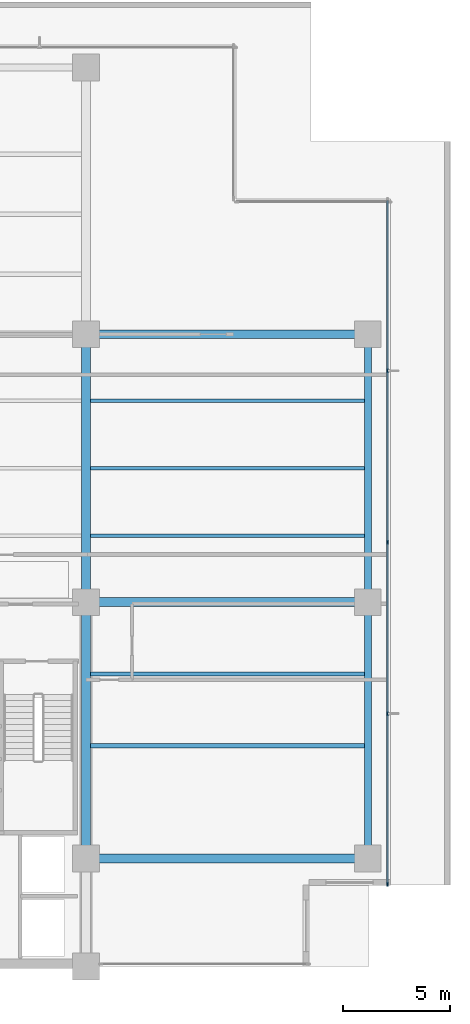
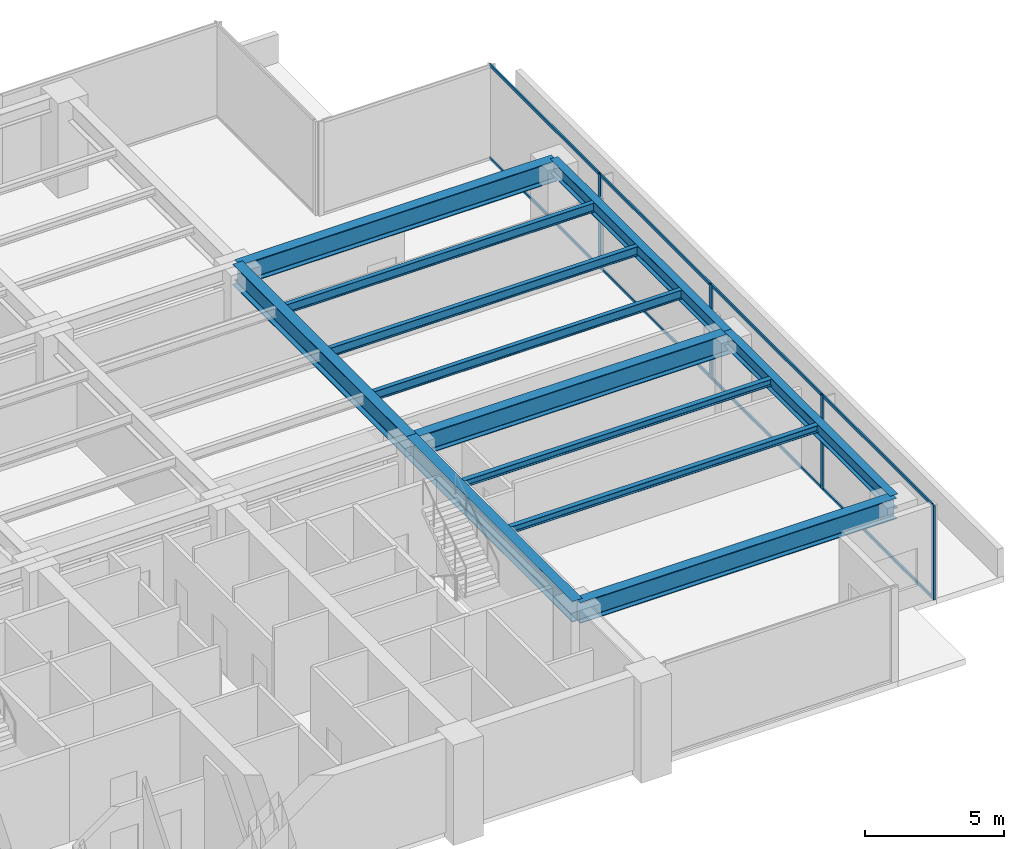
# One storey, part 4 of 16: 12 beams, 12 members, 1 element without a shape of its own.
"""IFC4 building model written with IfcOpenShell, lengths in metres."""

from ifc_helpers import new_model, si_unit, direction, frame, origin, origin_2d, place, context, subcontext, project, spatial, rectangle, i_section, extrude, material, layer, layer_set, material_profile, profile_set, type_object, element, aggregate, save


model = new_model("IFC4")

# Units and contexts
model_context = context("Model", 3, precision=1e-05, world=origin(), true_north=direction((0.0, 1.0)))
body_context = subcontext(model_context, "Body", "Model", "MODEL_VIEW")
ifc_project = project(units=[si_unit("LENGTHUNIT", "METRE"), si_unit("AREAUNIT", "SQUARE_METRE"), si_unit("VOLUMEUNIT", "CUBIC_METRE"), si_unit("PLANEANGLEUNIT", "RADIAN"), si_unit("MASSUNIT", "GRAM", prefix="KILO")], contexts=[model_context])

# Site, building, storey
site_placement = place(None, origin())
site = spatial("IfcSite", under=ifc_project, at=site_placement, CompositionType="ELEMENT")
building_placement = place(site_placement, origin())
building = spatial("IfcBuilding", under=site, at=building_placement, Name="Qalmaran Belvedere Hotel", CompositionType="ELEMENT")
storey_placement = place(building_placement, frame((0.0, 0.0, 83.800048828125)))
storey = spatial("IfcBuildingStorey", under=building, at=storey_placement, Name="L20", CompositionType="ELEMENT", Elevation=83.800048828125)

# Beams
ifc_material_1 = material(Name="Steel S355JR", Category="steel")
ifc_material_profile_1 = material_profile(ifc_material_1, i_section(OverallWidth=0.202880859375, OverallDepth=0.302978515625, WebThickness=0.007568359375, FlangeThickness=0.01318359375, FilletRadius=0.012939453125, at=origin_2d()), Name="W310X60")
ifc_profile_set_1 = profile_set([ifc_material_profile_1], Name="Steel S355JR")
beam_type_1 = type_object("IfcBeamType", Name="BM-JST-W310X60", PredefinedType="JOIST", material=ifc_profile_set_1)
for number, where, z_axis, x_axis, name in (
    (1, (45.007080078125, 13.800048828125, 3.988525390625), (1.0, 0.0, 0.0), (0.0, 1.0, 0.0), "L20 East Wing Joist 044"),
    (2, (45.007080078125, 17.14990234375, 3.988525390625), (1.0, 0.0, 0.0), (0.0, 1.0, 0.0), "L20 East Wing Joist 046"),
):
    element("IfcBeam", number, at=place(storey_placement, frame(where, z_axis=z_axis, x_axis=x_axis)), inside=storey, type_object=beam_type_1, Name=name, PredefinedType="JOIST", context=body_context, shape_type="SweptSolid", body=[
        extrude(i_section(OverallWidth=0.202880859375, OverallDepth=0.302978515625, WebThickness=0.007568359375, FlangeThickness=0.01318359375, FilletRadius=0.012939453125, at=origin_2d()), origin(), (0.0, 0.0, 1.0), 12.781494140625),
    ])
ifc_material_profile_2 = material_profile(ifc_material_1, i_section(OverallWidth=0.41796875, OverallDepth=0.912109375, WebThickness=0.019287109375, FlangeThickness=0.031982421875, FilletRadius=0.02392578125, at=origin_2d()), Name="W920X342")
ifc_profile_set_2 = profile_set([ifc_material_profile_2], Name="Steel S355JR")
beam_type_2 = type_object("IfcBeamType", Name="BM-PG2-W920X342", PredefinedType="USERDEFINED", material=ifc_profile_set_2)
beam_1_placement = place(storey_placement, frame((44.800048828125, 20.5, 3.683837890625), z_axis=(0.0, 1.0, 0.0), x_axis=(-1.0, 0.0, 0.0)))
element("IfcBeam", 3, at=beam_1_placement, inside=storey, type_object=beam_type_2, Name="L20 Mid-Plate N-S Girder 20", ObjectType="GIRDER", PredefinedType="USERDEFINED", context=body_context, shape_type="SweptSolid", body=[
    extrude(i_section(OverallWidth=0.41796875, OverallDepth=0.912109375, WebThickness=0.019287109375, FlangeThickness=0.031982421875, FilletRadius=0.02392578125, at=origin_2d()), origin(), (0.0, 0.0, 1.0), 12.5),
])
beam_2_placement = place(storey_placement, frame((44.800048828125, 8.550048828125, 3.683837890625), z_axis=(0.0, 1.0, 0.0), x_axis=(-1.0, 0.0, 0.0)))
element("IfcBeam", 4, at=beam_2_placement, inside=storey, type_object=beam_type_2, Name="L20 East Core Edge Girder B", ObjectType="GIRDER", PredefinedType="USERDEFINED", context=body_context, shape_type="SweptSolid", body=[
    extrude(i_section(OverallWidth=0.41796875, OverallDepth=0.912109375, WebThickness=0.019287109375, FlangeThickness=0.031982421875, FilletRadius=0.02392578125, at=origin_2d()), origin(), (0.0, 0.0, 1.0), 11.949951171875),
])
for number, where, z_axis, x_axis, name in (
    (5, (44.800048828125, 8.550048828125, 3.683837890625), (1.0, 0.0, 0.0), (0.0, 1.0, 0.0), "L20 East Wing Girder 25"),
    (6, (44.800048828125, 20.5, 3.683837890625), (1.0, 0.0, 0.0), (0.0, 1.0, 0.0), "L20 East Wing Girder 26"),
    (7, (44.800048828125, 33.0, 3.683837890625), (1.0, 0.0, 0.0), (0.0, 1.0, 0.0), "L20 East Wing Girder 27"),
):
    element("IfcBeam", number, at=place(storey_placement, frame(where, z_axis=z_axis, x_axis=x_axis)), inside=storey, type_object=beam_type_2, Name=name, ObjectType="GIRDER", PredefinedType="USERDEFINED", context=body_context, shape_type="SweptSolid", body=[
        extrude(i_section(OverallWidth=0.41796875, OverallDepth=0.912109375, WebThickness=0.019287109375, FlangeThickness=0.031982421875, FilletRadius=0.02392578125, at=origin_2d()), origin(), (0.0, 0.0, 1.0), 13.14990234375),
    ])
ifc_material_profile_3 = material_profile(ifc_material_1, i_section(OverallWidth=0.177978515625, OverallDepth=0.406982421875, WebThickness=0.0078125, FlangeThickness=0.0126953125, FilletRadius=0.014892578125, at=origin_2d()), Name="W410X60")
ifc_profile_set_3 = profile_set([ifc_material_profile_3], Name="Steel S355JR")
beam_type_3 = type_object("IfcBeamType", Name="BM-SB2-W410X60", PredefinedType="BEAM", material=ifc_profile_set_3)
for number, where, z_axis, x_axis, name in (
    (8, (45.007080078125, 23.60009765625, 3.9365234375), (1.0, 0.0, 0.0), (0.0, 1.0, 0.0), "L20 East Secondary Beam 032"),
    (9, (45.007080078125, 26.75, 3.9365234375), (1.0, 0.0, 0.0), (0.0, 1.0, 0.0), "L20 East Secondary Beam 037"),
    (10, (45.007080078125, 29.89990234375, 3.9365234375), (1.0, 0.0, 0.0), (0.0, 1.0, 0.0), "L20 East Secondary Beam 042"),
):
    element("IfcBeam", number, at=place(storey_placement, frame(where, z_axis=z_axis, x_axis=x_axis)), inside=storey, type_object=beam_type_3, Name=name, PredefinedType="BEAM", context=body_context, shape_type="SweptSolid", body=[
        extrude(i_section(OverallWidth=0.177978515625, OverallDepth=0.406982421875, WebThickness=0.0078125, FlangeThickness=0.0126953125, FilletRadius=0.014892578125, at=origin_2d()), origin(), (0.0, 0.0, 1.0), 12.781494140625),
    ])
ifc_material_profile_4 = material_profile(ifc_material_1, i_section(OverallWidth=0.326904296875, OverallDepth=0.6220703125, WebThickness=0.015380859375, FlangeThickness=0.0244140625, FilletRadius=0.02001953125, at=origin_2d()), Name="W610X195")
ifc_profile_set_4 = profile_set([ifc_material_profile_4], Name="Steel S355JR")
beam_type_4 = type_object("IfcBeamType", Name="BM-SP1-W610X195", PredefinedType="SPANDREL", material=ifc_profile_set_4)
beam_3_placement = place(storey_placement, frame((57.949951171875, 8.550048828125, 3.828857421875), z_axis=(0.0, 1.0, 0.0), x_axis=(-1.0, 0.0, 0.0)))
element("IfcBeam", 11, at=beam_3_placement, inside=storey, type_object=beam_type_4, Name="L20 Perimeter Spandrel 03", PredefinedType="SPANDREL", context=body_context, shape_type="SweptSolid", body=[
    extrude(i_section(OverallWidth=0.326904296875, OverallDepth=0.6220703125, WebThickness=0.015380859375, FlangeThickness=0.0244140625, FilletRadius=0.02001953125, at=origin_2d()), origin(), (0.0, 0.0, 1.0), 11.949951171875),
])
beam_4_placement = place(storey_placement, frame((57.949951171875, 20.5, 3.828857421875), z_axis=(0.0, 1.0, 0.0), x_axis=(-1.0, 0.0, 0.0)))
element("IfcBeam", 12, at=beam_4_placement, inside=storey, type_object=beam_type_4, Name="L20 Perimeter Spandrel 04", PredefinedType="SPANDREL", context=body_context, shape_type="SweptSolid", body=[
    extrude(i_section(OverallWidth=0.326904296875, OverallDepth=0.6220703125, WebThickness=0.015380859375, FlangeThickness=0.0244140625, FilletRadius=0.02001953125, at=origin_2d()), origin(), (0.0, 0.0, 1.0), 12.5),
])

# Curtain wall, members
ifc_material_2 = material(Name="Anodised Bronze Aluminium", Category="aluminium")
ifc_layer = layer(ifc_material_2, 0.199951171875, Name="Anodised Bronze Aluminium")
ifc_layer_set = layer_set([ifc_layer], Name="Anodised Bronze Aluminium")
curtain_wall_type = type_object("IfcCurtainWallType", Name="CW3-TOWER-LOWMID", PredefinedType="NOTDEFINED", material=ifc_layer_set)
curtain_wall_placement = place(storey_placement, origin())
curtain_wall = element("IfcCurtainWall", 13, at=curtain_wall_placement, inside=storey, type_object=curtain_wall_type, Name="L20 Curtain Wall CW3", PredefinedType="NOTDEFINED")
ifc_material_profile_5 = material_profile(ifc_material_2, rectangle(XDim=0.070068359375, YDim=0.18994140625, at=origin_2d()), Name="CWM70X190")
ifc_profile_set_5 = profile_set([ifc_material_profile_5], Name="Anodised Bronze Aluminium")
member_type_1 = type_object("IfcMemberType", Name="CWM-70X190", PredefinedType="MULLION", material=ifc_profile_set_5)
member_1_placement = place(storey_placement, frame((58.8798828125, 7.3349609375, 0.0), z_axis=(0.0, 0.0, 1.0), x_axis=(-1.0, 0.0, 0.0)))
member_1 = element("IfcMember", 14, at=member_1_placement, type_object=member_type_1, Name="CW3 mullion 1", PredefinedType="MULLION", context=body_context, shape_type="SweptSolid", body=[
    extrude(rectangle(XDim=0.070068359375, YDim=0.18994140625, at=origin_2d()), origin(), (0.0, 0.0, 1.0), 4.139892578125),
])
member_2_placement = place(storey_placement, frame((58.8798828125, 15.300048828125, 0.0), z_axis=(0.0, 0.0, 1.0), x_axis=(-1.0, 0.0, 0.0)))
member_2 = element("IfcMember", 15, at=member_2_placement, type_object=member_type_1, Name="CW3 mullion 2", PredefinedType="MULLION", context=body_context, shape_type="SweptSolid", body=[
    extrude(rectangle(XDim=0.070068359375, YDim=0.18994140625, at=origin_2d()), origin(), (0.0, 0.0, 1.0), 4.139892578125),
])
member_3_placement = place(storey_placement, frame((58.8798828125, 23.300048828125, 0.0), z_axis=(0.0, 0.0, 1.0), x_axis=(-1.0, 0.0, 0.0)))
member_3 = element("IfcMember", 16, at=member_3_placement, type_object=member_type_1, Name="CW3 mullion 3", PredefinedType="MULLION", context=body_context, shape_type="SweptSolid", body=[
    extrude(rectangle(XDim=0.070068359375, YDim=0.18994140625, at=origin_2d()), origin(), (0.0, 0.0, 1.0), 4.139892578125),
])
member_4_placement = place(storey_placement, frame((58.8798828125, 31.300048828125, 0.0), z_axis=(0.0, 0.0, 1.0), x_axis=(-1.0, 0.0, 0.0)))
member_4 = element("IfcMember", 17, at=member_4_placement, type_object=member_type_1, Name="CW3 mullion 4", PredefinedType="MULLION", context=body_context, shape_type="SweptSolid", body=[
    extrude(rectangle(XDim=0.070068359375, YDim=0.18994140625, at=origin_2d()), origin(), (0.0, 0.0, 1.0), 4.139892578125),
])
ifc_material_profile_6 = material_profile(ifc_material_2, rectangle(XDim=0.06494140625, YDim=0.1298828125, at=origin_2d()), Name="CWT65X130")
ifc_profile_set_6 = profile_set([ifc_material_profile_6], Name="Anodised Bronze Aluminium")
member_type_2 = type_object("IfcMemberType", Name="CWT-65X130", PredefinedType="USERDEFINED", material=ifc_profile_set_6)
member_5_placement = place(storey_placement, frame((58.8798828125, 7.3701171875, 0.032470703125), z_axis=(0.0, 1.0, 0.0), x_axis=(-1.0, 0.0, 0.0)))
member_5 = element("IfcMember", 18, at=member_5_placement, type_object=member_type_2, Name="CW3 transom 1.1", ObjectType="TRANSOM", PredefinedType="USERDEFINED", context=body_context, shape_type="SweptSolid", body=[
    extrude(rectangle(XDim=0.06494140625, YDim=0.1298828125, at=origin_2d()), origin(), (0.0, 0.0, 1.0), 7.894775390625),
])
member_6_placement = place(storey_placement, frame((58.8798828125, 7.3701171875, 4.107421875), z_axis=(0.0, 1.0, 0.0), x_axis=(-1.0, 0.0, 0.0)))
member_6 = element("IfcMember", 19, at=member_6_placement, type_object=member_type_2, Name="CW3 transom 1.2", ObjectType="TRANSOM", PredefinedType="USERDEFINED", context=body_context, shape_type="SweptSolid", body=[
    extrude(rectangle(XDim=0.06494140625, YDim=0.1298828125, at=origin_2d()), origin(), (0.0, 0.0, 1.0), 7.894775390625),
])
member_7_placement = place(storey_placement, frame((58.8798828125, 15.3349609375, 0.032470703125), z_axis=(0.0, 1.0, 0.0), x_axis=(-1.0, 0.0, 0.0)))
member_7 = element("IfcMember", 20, at=member_7_placement, type_object=member_type_2, Name="CW3 transom 2.1", ObjectType="TRANSOM", PredefinedType="USERDEFINED", context=body_context, shape_type="SweptSolid", body=[
    extrude(rectangle(XDim=0.06494140625, YDim=0.1298828125, at=origin_2d()), origin(), (0.0, 0.0, 1.0), 7.929931640625),
])
member_8_placement = place(storey_placement, frame((58.8798828125, 15.3349609375, 4.107421875), z_axis=(0.0, 1.0, 0.0), x_axis=(-1.0, 0.0, 0.0)))
member_8 = element("IfcMember", 21, at=member_8_placement, type_object=member_type_2, Name="CW3 transom 2.2", ObjectType="TRANSOM", PredefinedType="USERDEFINED", context=body_context, shape_type="SweptSolid", body=[
    extrude(rectangle(XDim=0.06494140625, YDim=0.1298828125, at=origin_2d()), origin(), (0.0, 0.0, 1.0), 7.929931640625),
])
member_9_placement = place(storey_placement, frame((58.8798828125, 23.3349609375, 0.032470703125), z_axis=(0.0, 1.0, 0.0), x_axis=(-1.0, 0.0, 0.0)))
member_9 = element("IfcMember", 22, at=member_9_placement, type_object=member_type_2, Name="CW3 transom 3.1", ObjectType="TRANSOM", PredefinedType="USERDEFINED", context=body_context, shape_type="SweptSolid", body=[
    extrude(rectangle(XDim=0.06494140625, YDim=0.1298828125, at=origin_2d()), origin(), (0.0, 0.0, 1.0), 7.929931640625),
])
member_10_placement = place(storey_placement, frame((58.8798828125, 23.3349609375, 4.107421875), z_axis=(0.0, 1.0, 0.0), x_axis=(-1.0, 0.0, 0.0)))
member_10 = element("IfcMember", 23, at=member_10_placement, type_object=member_type_2, Name="CW3 transom 3.2", ObjectType="TRANSOM", PredefinedType="USERDEFINED", context=body_context, shape_type="SweptSolid", body=[
    extrude(rectangle(XDim=0.06494140625, YDim=0.1298828125, at=origin_2d()), origin(), (0.0, 0.0, 1.0), 7.929931640625),
])
member_11_placement = place(storey_placement, frame((58.8798828125, 31.3349609375, 0.032470703125), z_axis=(0.0, 1.0, 0.0), x_axis=(-1.0, 0.0, 0.0)))
member_11 = element("IfcMember", 24, at=member_11_placement, type_object=member_type_2, Name="CW3 transom 4.1", ObjectType="TRANSOM", PredefinedType="USERDEFINED", context=body_context, shape_type="SweptSolid", body=[
    extrude(rectangle(XDim=0.06494140625, YDim=0.1298828125, at=origin_2d()), origin(), (0.0, 0.0, 1.0), 7.89501953125),
])
member_12_placement = place(storey_placement, frame((58.8798828125, 31.3349609375, 4.107421875), z_axis=(0.0, 1.0, 0.0), x_axis=(-1.0, 0.0, 0.0)))
member_12 = element("IfcMember", 25, at=member_12_placement, type_object=member_type_2, Name="CW3 transom 4.2", ObjectType="TRANSOM", PredefinedType="USERDEFINED", context=body_context, shape_type="SweptSolid", body=[
    extrude(rectangle(XDim=0.06494140625, YDim=0.1298828125, at=origin_2d()), origin(), (0.0, 0.0, 1.0), 7.89501953125),
])
aggregate(curtain_wall, [member_1, member_2, member_3, member_4, member_5, member_6, member_7, member_8, member_9, member_10, member_11, member_12])

save(model, "model.ifc")
